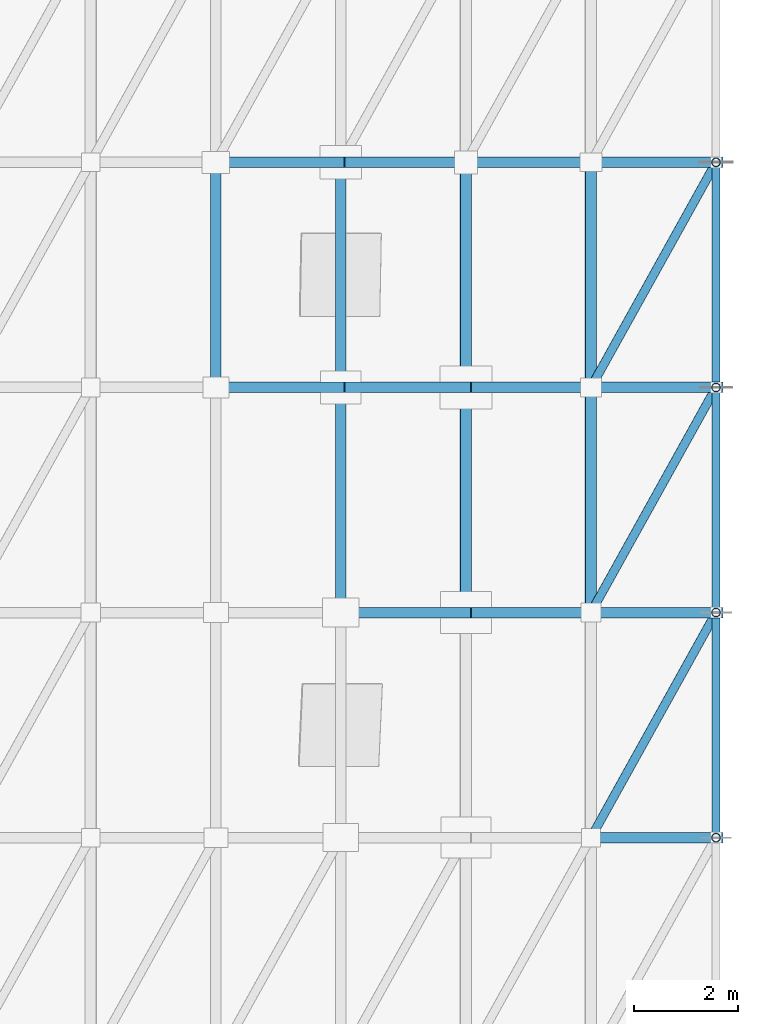
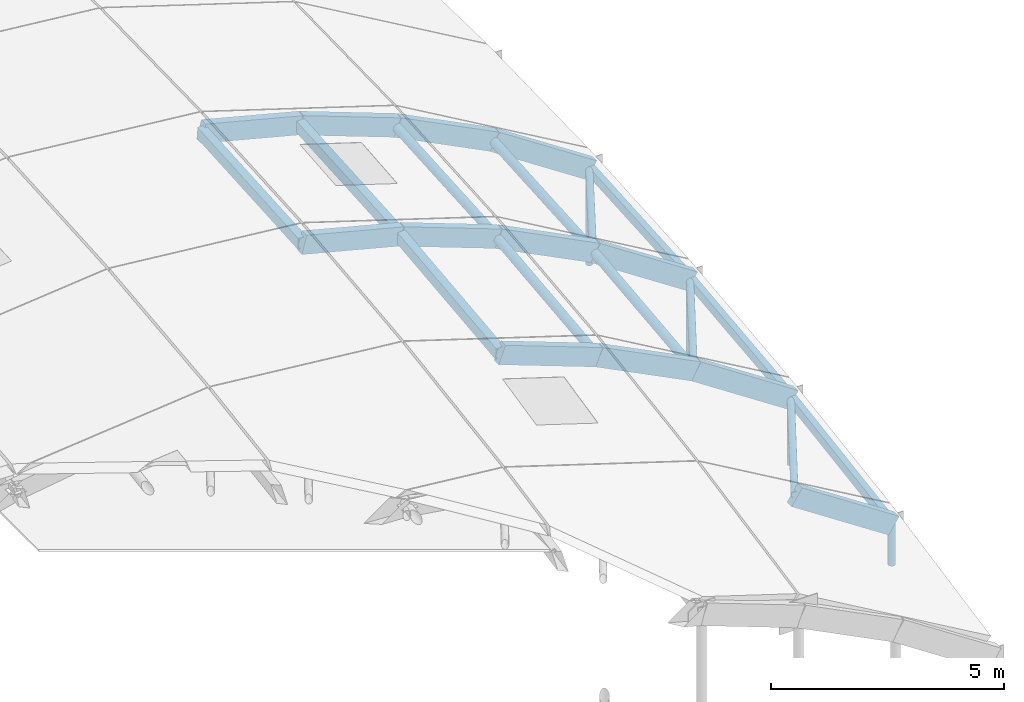
# One storey, part 13 of 35: 29 members.
"""IFC4 building model written with IfcOpenShell, lengths in metres."""

from ifc_helpers import new_model, si_unit, direction, frame, origin, origin_2d, place, context, subcontext, project, spatial, rectangle, hollow_rectangle, hollow_circle, extrude, material, material_profile, profile_set, type_object, element, save


model = new_model("IFC4")

# Units and contexts
model_context = context("Model", 3, precision=1e-05, world=origin(), true_north=direction((0.0, 1.0)))
body_context = subcontext(model_context, "Body", "Model", "MODEL_VIEW")
ifc_project = project(units=[si_unit("LENGTHUNIT", "METRE"), si_unit("AREAUNIT", "SQUARE_METRE"), si_unit("VOLUMEUNIT", "CUBIC_METRE"), si_unit("PLANEANGLEUNIT", "RADIAN"), si_unit("MASSUNIT", "GRAM", prefix="KILO")], contexts=[model_context])

# Site, building, storey
site_placement = place(None, origin())
site = spatial("IfcSite", under=ifc_project, at=site_placement, CompositionType="ELEMENT")
building_placement = place(site_placement, origin())
building = spatial("IfcBuilding", under=site, at=building_placement, Name="Zarrinpeak Specialist Clinic", CompositionType="ELEMENT")
storey_placement = place(building_placement, frame((0.0, 0.0, 31.60009765625)))
storey = spatial("IfcBuildingStorey", under=building, at=storey_placement, Name="RF", CompositionType="ELEMENT", Elevation=31.60009765625)

# Members
ifc_material_1 = material(Name="Steel S355", Category="steel")
ifc_material_profile_1 = material_profile(ifc_material_1, hollow_circle(Radius=0.084228515625, WallThickness=0.008056640625, at=origin_2d()), Name="CHS 168.3x8.0")
ifc_profile_set_1 = profile_set([ifc_material_profile_1], Name="Steel S355")
member_type_1 = type_object("IfcMemberType", Name="MB-BR168", PredefinedType="BRACE", material=ifc_profile_set_1)
member_1_placement = place(storey_placement, frame((120.0, 33.1201171875, -15.151611328125), z_axis=(0.477567711568, 0.859621880823, -0.181602045355), x_axis=(-0.874157276122, 0.485642931179, 0.0)))
element("IfcMember", 1, at=member_1_placement, inside=storey, type_object=member_type_1, Name="V3 Gridshell Diagonal Brace GS-DIAG-064", PredefinedType="BRACE", context=body_context, shape_type="SweptSolid", body=[
    extrude(hollow_circle(Radius=0.084228515625, WallThickness=0.008056640625, at=origin_2d()), origin(), (0.0, 0.0, 1.0), 5.025146484375),
])
member_2_placement = place(storey_placement, frame((120.0, 37.43994140625, -14.4794921875), z_axis=(0.473929807143, 0.853121865453, -0.218113778995), x_axis=(-0.874168927292, 0.485621958479, 0.0)))
element("IfcMember", 2, at=member_2_placement, inside=storey, type_object=member_type_1, Name="V3 Gridshell Diagonal Brace GS-DIAG-065", PredefinedType="BRACE", context=body_context, shape_type="SweptSolid", body=[
    extrude(hollow_circle(Radius=0.084228515625, WallThickness=0.008056640625, at=origin_2d()), origin(), (0.0, 0.0, 1.0), 5.063720703125),
])
member_3_placement = place(storey_placement, frame((120.0, 41.760009765625, -13.99951171875), z_axis=(0.469723105884, 0.84554937524, -0.253784274196), x_axis=(-0.874168927292, 0.485621958479, 0.0)))
element("IfcMember", 3, at=member_3_placement, inside=storey, type_object=member_type_1, Name="V3 Gridshell Diagonal Brace GS-DIAG-066", PredefinedType="BRACE", context=body_context, shape_type="SweptSolid", body=[
    extrude(hollow_circle(Radius=0.084228515625, WallThickness=0.008056640625, at=origin_2d()), origin(), (0.0, 0.0, 1.0), 5.109130859375),
])
ifc_material_profile_2 = material_profile(ifc_material_1, hollow_circle(Radius=0.109619140625, WallThickness=0.010009765625, at=origin_2d()), Name="CHS 219.1x10.0")
ifc_profile_set_2 = profile_set([ifc_material_profile_2], Name="Steel S355")
member_type_2 = type_object("IfcMemberType", Name="MB-GS-CH219", PredefinedType="USERDEFINED", material=ifc_profile_set_2)
member_4_placement = place(storey_placement, frame((117.60009765625, 37.43994140625, -13.267578125), z_axis=(0.0, 0.993884419624, 0.110425361344), x_axis=(-1.0, 0.0, 0.0)))
element("IfcMember", 4, at=member_4_placement, inside=storey, type_object=member_type_2, Name="V3 Translational Gridshell Vault Steel Chord I10-J02", ObjectType="ARCH_SEGMENT", PredefinedType="USERDEFINED", context=body_context, shape_type="SweptSolid", body=[
    extrude(hollow_circle(Radius=0.109619140625, WallThickness=0.010009765625, at=origin_2d()), origin(), (0.0, 0.0, 1.0), 4.3466796875),
])
member_5_placement = place(storey_placement, frame((117.60009765625, 41.760009765625, -12.78759765625), z_axis=(0.0, 0.997787652204, 0.066481584739), x_axis=(-1.0, 0.0, 0.0)))
element("IfcMember", 5, at=member_5_placement, inside=storey, type_object=member_type_2, Name="V3 Translational Gridshell Vault Steel Chord I10-J03", ObjectType="ARCH_SEGMENT", PredefinedType="USERDEFINED", context=body_context, shape_type="SweptSolid", body=[
    extrude(hollow_circle(Radius=0.109619140625, WallThickness=0.010009765625, at=origin_2d()), origin(), (0.0, 0.0, 1.0), 4.32958984375),
])
member_6_placement = place(storey_placement, frame((120.0, 37.43994140625, -14.4794921875), z_axis=(0.0, 0.993884419624, 0.110425361344), x_axis=(-1.0, 0.0, 0.0)))
element("IfcMember", 6, at=member_6_placement, inside=storey, type_object=member_type_2, Name="V3 Translational Gridshell Vault Steel Chord I11-J02", ObjectType="ARCH_SEGMENT", PredefinedType="USERDEFINED", context=body_context, shape_type="SweptSolid", body=[
    extrude(hollow_circle(Radius=0.109619140625, WallThickness=0.010009765625, at=origin_2d()), origin(), (0.0, 0.0, 1.0), 4.3466796875),
])
member_7_placement = place(storey_placement, frame((120.0, 41.760009765625, -13.99951171875), z_axis=(0.0, 0.997783910161, 0.066537723311), x_axis=(-1.0, 0.0, 0.0)))
element("IfcMember", 7, at=member_7_placement, inside=storey, type_object=member_type_2, Name="V3 Translational Gridshell Vault Steel Chord I11-J03", ObjectType="ARCH_SEGMENT", PredefinedType="USERDEFINED", context=body_context, shape_type="SweptSolid", body=[
    extrude(hollow_circle(Radius=0.109619140625, WallThickness=0.010009765625, at=origin_2d()), origin(), (0.0, 0.0, 1.0), 4.32958984375),
])
ifc_material_2 = material(Name="Glulam GL28h", Category="wood")
ifc_material_profile_3 = material_profile(ifc_material_2, rectangle(XDim=0.199951171875, YDim=0.47998046875, at=origin_2d()), Name="GL28h 200x480")
ifc_profile_set_3 = profile_set([ifc_material_profile_3], Name="Glulam GL28h")
member_type_3 = type_object("IfcMemberType", Name="MB-GS-GL480", PredefinedType="USERDEFINED", material=ifc_profile_set_3)
member_8_placement = place(storey_placement, frame((120.0, 33.1201171875, -15.151611328125), z_axis=(0.834523531014, 0.0, -0.550972300741), x_axis=(0.0, 1.0, 0.0)))
element("IfcMember", 8, at=member_8_placement, inside=storey, type_object=member_type_3, Name="V3 Translational Gridshell Vault Glulam Arch Rib J01-11", ObjectType="ARCH_SEGMENT", PredefinedType="USERDEFINED", context=body_context, shape_type="SweptSolid", body=[
    extrude(rectangle(XDim=0.199951171875, YDim=0.47998046875, at=origin_2d()), origin(), (0.0, 0.0, 1.0), 2.875732421875),
])
member_9_placement = place(storey_placement, frame((115.199951171875, 37.43994140625, -12.36962890625), z_axis=(0.936599049523, 0.0, -0.350402940102), x_axis=(0.0, 1.0, 0.0)))
element("IfcMember", 9, at=member_9_placement, inside=storey, type_object=member_type_3, Name="V3 Translational Gridshell Vault Glulam Arch Rib J02-09", ObjectType="ARCH_SEGMENT", PredefinedType="USERDEFINED", context=body_context, shape_type="SweptSolid", body=[
    extrude(rectangle(XDim=0.199951171875, YDim=0.47998046875, at=origin_2d()), origin(), (0.0, 0.0, 1.0), 2.5625),
])
member_10_placement = place(storey_placement, frame((117.60009765625, 37.43994140625, -13.267578125), z_axis=(0.892640275465, 0.0, -0.450769717946), x_axis=(0.0, 1.0, 0.0)))
element("IfcMember", 10, at=member_10_placement, inside=storey, type_object=member_type_3, Name="V3 Translational Gridshell Vault Glulam Arch Rib J02-10", ObjectType="ARCH_SEGMENT", PredefinedType="USERDEFINED", context=body_context, shape_type="SweptSolid", body=[
    extrude(rectangle(XDim=0.199951171875, YDim=0.47998046875, at=origin_2d()), origin(), (0.0, 0.0, 1.0), 2.6884765625),
])
member_11_placement = place(storey_placement, frame((120.0, 37.43994140625, -14.4794921875), z_axis=(0.834484495814, 0.0, -0.55103142038), x_axis=(0.0, 1.0, 0.0)))
element("IfcMember", 11, at=member_11_placement, inside=storey, type_object=member_type_3, Name="V3 Translational Gridshell Vault Glulam Arch Rib J02-11", ObjectType="ARCH_SEGMENT", PredefinedType="USERDEFINED", context=body_context, shape_type="SweptSolid", body=[
    extrude(rectangle(XDim=0.199951171875, YDim=0.47998046875, at=origin_2d()), origin(), (0.0, 0.0, 1.0), 2.8759765625),
])
member_12_placement = place(storey_placement, frame((112.800048828125, 41.760009765625, -11.26904296875), z_axis=(0.96815267419, 0.0, -0.250360538941), x_axis=(0.0, 1.0, 0.0)))
element("IfcMember", 12, at=member_12_placement, inside=storey, type_object=member_type_3, Name="V3 Translational Gridshell Vault Glulam Arch Rib J03-08", ObjectType="ARCH_SEGMENT", PredefinedType="USERDEFINED", context=body_context, shape_type="SweptSolid", body=[
    extrude(rectangle(XDim=0.199951171875, YDim=0.47998046875, at=origin_2d()), origin(), (0.0, 0.0, 1.0), 2.478759765625),
])
member_13_placement = place(storey_placement, frame((115.199951171875, 41.760009765625, -11.8896484375), z_axis=(0.936599049523, 0.0, -0.350402940102), x_axis=(0.0, 1.0, 0.0)))
element("IfcMember", 13, at=member_13_placement, inside=storey, type_object=member_type_3, Name="V3 Translational Gridshell Vault Glulam Arch Rib J03-09", ObjectType="ARCH_SEGMENT", PredefinedType="USERDEFINED", context=body_context, shape_type="SweptSolid", body=[
    extrude(rectangle(XDim=0.199951171875, YDim=0.47998046875, at=origin_2d()), origin(), (0.0, 0.0, 1.0), 2.5625),
])
member_14_placement = place(storey_placement, frame((117.60009765625, 41.760009765625, -12.78759765625), z_axis=(0.892640275465, 0.0, -0.450769717946), x_axis=(0.0, 1.0, 0.0)))
element("IfcMember", 14, at=member_14_placement, inside=storey, type_object=member_type_3, Name="V3 Translational Gridshell Vault Glulam Arch Rib J03-10", ObjectType="ARCH_SEGMENT", PredefinedType="USERDEFINED", context=body_context, shape_type="SweptSolid", body=[
    extrude(rectangle(XDim=0.199951171875, YDim=0.47998046875, at=origin_2d()), origin(), (0.0, 0.0, 1.0), 2.6884765625),
])
member_15_placement = place(storey_placement, frame((120.0, 41.760009765625, -13.99951171875), z_axis=(0.834523531014, 0.0, -0.550972300741), x_axis=(0.0, 1.0, 0.0)))
element("IfcMember", 15, at=member_15_placement, inside=storey, type_object=member_type_3, Name="V3 Translational Gridshell Vault Glulam Arch Rib J03-11", ObjectType="ARCH_SEGMENT", PredefinedType="USERDEFINED", context=body_context, shape_type="SweptSolid", body=[
    extrude(rectangle(XDim=0.199951171875, YDim=0.47998046875, at=origin_2d()), origin(), (0.0, 0.0, 1.0), 2.875732421875),
])
member_16_placement = place(storey_placement, frame((112.800048828125, 46.080078125, -10.98095703125), z_axis=(0.96815267419, 0.0, -0.250360538941), x_axis=(0.0, 1.0, 0.0)))
element("IfcMember", 16, at=member_16_placement, inside=storey, type_object=member_type_3, Name="V3 Translational Gridshell Vault Glulam Arch Rib J04-08", ObjectType="ARCH_SEGMENT", PredefinedType="USERDEFINED", context=body_context, shape_type="SweptSolid", body=[
    extrude(rectangle(XDim=0.199951171875, YDim=0.47998046875, at=origin_2d()), origin(), (0.0, 0.0, 1.0), 2.478759765625),
])
member_17_placement = place(storey_placement, frame((115.199951171875, 46.080078125, -11.6015625), z_axis=(0.936567780468, 0.0, -0.350486508427), x_axis=(0.0, 1.0, 0.0)))
element("IfcMember", 17, at=member_17_placement, inside=storey, type_object=member_type_3, Name="V3 Translational Gridshell Vault Glulam Arch Rib J04-09", ObjectType="ARCH_SEGMENT", PredefinedType="USERDEFINED", context=body_context, shape_type="SweptSolid", body=[
    extrude(rectangle(XDim=0.199951171875, YDim=0.47998046875, at=origin_2d()), origin(), (0.0, 0.0, 1.0), 2.562744140625),
])
member_18_placement = place(storey_placement, frame((117.60009765625, 46.080078125, -12.499755859375), z_axis=(0.892676812819, 0.0, -0.450697357276), x_axis=(0.0, 1.0, 0.0)))
element("IfcMember", 18, at=member_18_placement, inside=storey, type_object=member_type_3, Name="V3 Translational Gridshell Vault Glulam Arch Rib J04-10", ObjectType="ARCH_SEGMENT", PredefinedType="USERDEFINED", context=body_context, shape_type="SweptSolid", body=[
    extrude(rectangle(XDim=0.199951171875, YDim=0.47998046875, at=origin_2d()), origin(), (0.0, 0.0, 1.0), 2.6884765625),
])
member_19_placement = place(storey_placement, frame((120.0, 46.080078125, -13.71142578125), z_axis=(0.834484495814, 0.0, -0.55103142038), x_axis=(0.0, 1.0, 0.0)))
element("IfcMember", 19, at=member_19_placement, inside=storey, type_object=member_type_3, Name="V3 Translational Gridshell Vault Glulam Arch Rib J04-11", ObjectType="ARCH_SEGMENT", PredefinedType="USERDEFINED", context=body_context, shape_type="SweptSolid", body=[
    extrude(rectangle(XDim=0.199951171875, YDim=0.47998046875, at=origin_2d()), origin(), (0.0, 0.0, 1.0), 2.8759765625),
])
ifc_material_profile_4 = material_profile(ifc_material_1, hollow_rectangle(XDim=0.14990234375, YDim=0.25, WallThickness=0.010009765625, at=origin_2d()), Name="RHS 250x150x10.0")
ifc_profile_set_4 = profile_set([ifc_material_profile_4], Name="Steel S355")
member_type_4 = type_object("IfcMemberType", Name="MB-GS-RH250", PredefinedType="USERDEFINED", material=ifc_profile_set_4)
member_20_placement = place(storey_placement, frame((122.39990234375, 33.1201171875, -16.736083984375), z_axis=(0.0, 0.988119861414, 0.153685196033), x_axis=(-1.0, 0.0, 0.0)))
element("IfcMember", 20, at=member_20_placement, inside=storey, type_object=member_type_4, Name="V3 Translational Gridshell Vault Steel Chord I12-J01", ObjectType="ARCH_SEGMENT", PredefinedType="USERDEFINED", context=body_context, shape_type="SweptSolid", body=[
    extrude(hollow_rectangle(XDim=0.14990234375, YDim=0.25, WallThickness=0.010009765625, at=origin_2d()), origin(), (0.0, 0.0, 1.0), 4.371826171875),
])
member_21_placement = place(storey_placement, frame((122.39990234375, 37.43994140625, -16.064208984375), z_axis=(0.0, 0.993878253725, 0.110480843463), x_axis=(-1.0, 0.0, 0.0)))
element("IfcMember", 21, at=member_21_placement, inside=storey, type_object=member_type_4, Name="V3 Translational Gridshell Vault Steel Chord I12-J02", ObjectType="ARCH_SEGMENT", PredefinedType="USERDEFINED", context=body_context, shape_type="SweptSolid", body=[
    extrude(hollow_rectangle(XDim=0.14990234375, YDim=0.25, WallThickness=0.010009765625, at=origin_2d()), origin(), (0.0, 0.0, 1.0), 4.3466796875),
])
member_22_placement = place(storey_placement, frame((122.39990234375, 41.760009765625, -15.583984375), z_axis=(0.0, 0.997787652204, 0.066481584739), x_axis=(-1.0, 0.0, 0.0)))
element("IfcMember", 22, at=member_22_placement, inside=storey, type_object=member_type_4, Name="V3 Translational Gridshell Vault Steel Chord I12-J03", ObjectType="ARCH_SEGMENT", PredefinedType="USERDEFINED", context=body_context, shape_type="SweptSolid", body=[
    extrude(hollow_rectangle(XDim=0.14990234375, YDim=0.25, WallThickness=0.010009765625, at=origin_2d()), origin(), (0.0, 0.0, 1.0), 4.32958984375),
])
ifc_material_profile_5 = material_profile(ifc_material_1, hollow_rectangle(XDim=0.199951171875, YDim=0.300048828125, WallThickness=0.012451171875, at=origin_2d()), Name="RHS 300x200x12.5")
ifc_profile_set_5 = profile_set([ifc_material_profile_5], Name="Steel S355")
member_type_5 = type_object("IfcMemberType", Name="MB-GS-RH300", PredefinedType="USERDEFINED", material=ifc_profile_set_5)
member_23_placement = place(storey_placement, frame((112.800048828125, 41.760009765625, -11.26904296875), z_axis=(0.0, 0.997783910161, 0.066537723311), x_axis=(-1.0, 0.0, 0.0)))
element("IfcMember", 23, at=member_23_placement, inside=storey, type_object=member_type_5, Name="V3 Translational Gridshell Vault Steel Chord I08-J03", ObjectType="ARCH_SEGMENT", PredefinedType="USERDEFINED", context=body_context, shape_type="SweptSolid", body=[
    extrude(hollow_rectangle(XDim=0.199951171875, YDim=0.300048828125, WallThickness=0.012451171875, at=origin_2d()), origin(), (0.0, 0.0, 1.0), 4.32958984375),
])
member_24_placement = place(storey_placement, frame((115.199951171875, 37.43994140625, -12.36962890625), z_axis=(0.0, 0.993884419624, 0.110425361344), x_axis=(-1.0, 0.0, 0.0)))
element("IfcMember", 24, at=member_24_placement, inside=storey, type_object=member_type_5, Name="V3 Translational Gridshell Vault Steel Chord I09-J02", ObjectType="ARCH_SEGMENT", PredefinedType="USERDEFINED", context=body_context, shape_type="SweptSolid", body=[
    extrude(hollow_rectangle(XDim=0.199951171875, YDim=0.300048828125, WallThickness=0.012451171875, at=origin_2d()), origin(), (0.0, 0.0, 1.0), 4.3466796875),
])
member_25_placement = place(storey_placement, frame((115.199951171875, 41.760009765625, -11.8896484375), z_axis=(0.0, 0.997783910161, 0.066537723311), x_axis=(-1.0, 0.0, 0.0)))
element("IfcMember", 25, at=member_25_placement, inside=storey, type_object=member_type_5, Name="V3 Translational Gridshell Vault Steel Chord I09-J03", ObjectType="ARCH_SEGMENT", PredefinedType="USERDEFINED", context=body_context, shape_type="SweptSolid", body=[
    extrude(hollow_rectangle(XDim=0.199951171875, YDim=0.300048828125, WallThickness=0.012451171875, at=origin_2d()), origin(), (0.0, 0.0, 1.0), 4.32958984375),
])
ifc_material_profile_6 = material_profile(ifc_material_1, hollow_circle(Radius=0.084228515625, WallThickness=0.008056640625, at=origin_2d()), Name="CHS 168.3x8.0")
ifc_profile_set_6 = profile_set([ifc_material_profile_6], Name="Steel S355")
member_type_6 = type_object("IfcMemberType", Name="MB-PST168", PredefinedType="BRACE", material=ifc_profile_set_6)
member_26_placement = place(storey_placement, frame((122.39990234375, 33.1201171875, -17.800048828125), z_axis=(0.0, 0.0, 1.0), x_axis=(1.0, 0.0, 0.0)))
element("IfcMember", 26, at=member_26_placement, inside=storey, type_object=member_type_6, Name="V3 Gridshell Edge Arch Post 12-1", PredefinedType="BRACE", context=body_context, shape_type="SweptSolid", body=[
    extrude(hollow_circle(Radius=0.084228515625, WallThickness=0.008056640625, at=origin_2d()), origin(), (0.0, 0.0, 1.0), 1.06396484375),
])
member_27_placement = place(storey_placement, frame((122.39990234375, 37.43994140625, -17.800048828125), z_axis=(0.0, 0.0, 1.0), x_axis=(1.0, 0.0, 0.0)))
element("IfcMember", 27, at=member_27_placement, inside=storey, type_object=member_type_6, Name="V3 Gridshell Edge Arch Post 12-2", PredefinedType="BRACE", context=body_context, shape_type="SweptSolid", body=[
    extrude(hollow_circle(Radius=0.084228515625, WallThickness=0.008056640625, at=origin_2d()), origin(), (0.0, 0.0, 1.0), 1.73583984375),
])
member_28_placement = place(storey_placement, frame((122.39990234375, 41.760009765625, -17.800048828125), z_axis=(0.0, 0.0, 1.0), x_axis=(1.0, 0.0, 0.0)))
element("IfcMember", 28, at=member_28_placement, inside=storey, type_object=member_type_6, Name="V3 Gridshell Edge Arch Post 12-3", PredefinedType="BRACE", context=body_context, shape_type="SweptSolid", body=[
    extrude(hollow_circle(Radius=0.084228515625, WallThickness=0.008056640625, at=origin_2d()), origin(), (0.0, 0.0, 1.0), 2.216064453125),
])
member_29_placement = place(storey_placement, frame((122.39990234375, 46.080078125, -17.800048828125), z_axis=(0.0, 0.0, 1.0), x_axis=(1.0, 0.0, 0.0)))
element("IfcMember", 29, at=member_29_placement, inside=storey, type_object=member_type_6, Name="V3 Gridshell Edge Arch Post 12-4", PredefinedType="BRACE", context=body_context, shape_type="SweptSolid", body=[
    extrude(hollow_circle(Radius=0.084228515625, WallThickness=0.008056640625, at=origin_2d()), origin(), (0.0, 0.0, 1.0), 2.50390625),
])

save(model, "model.ifc")
